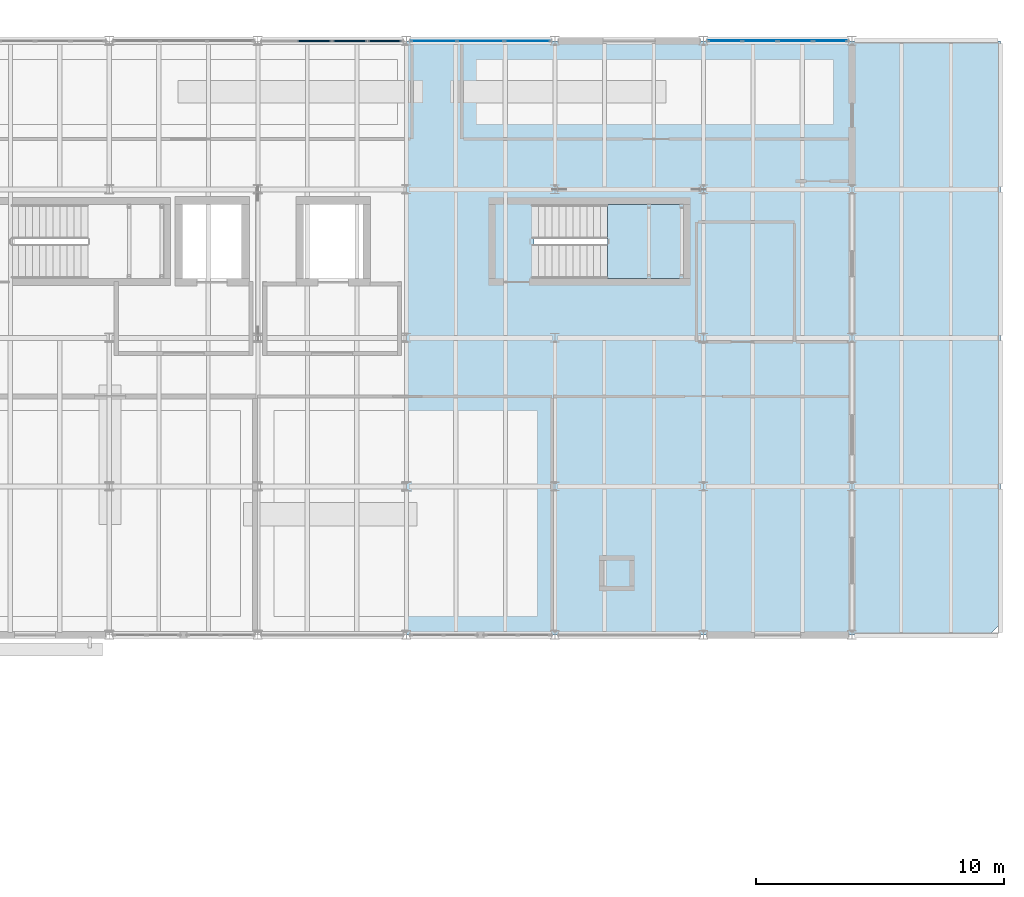
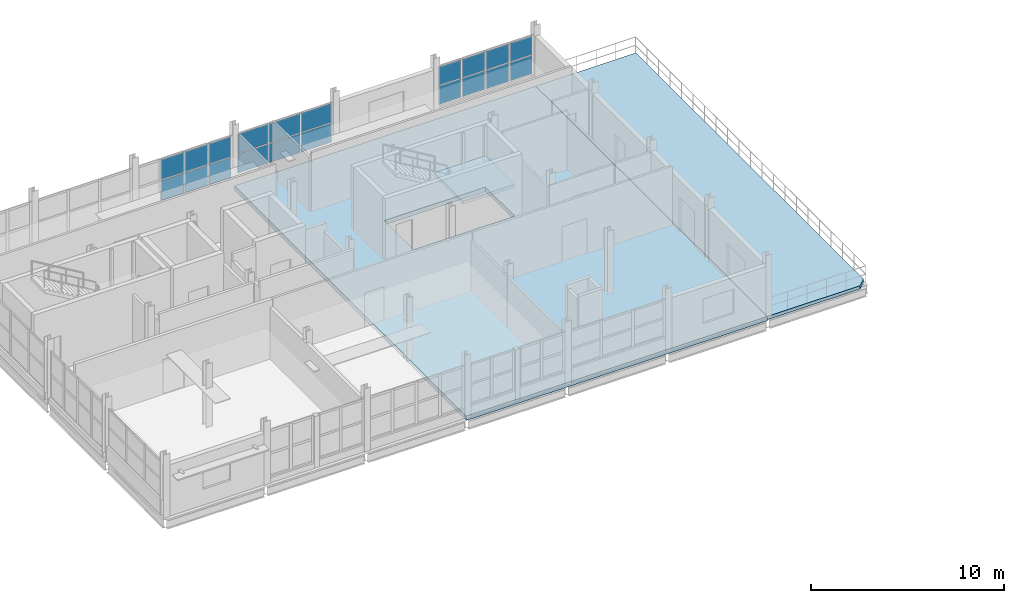
# One storey, part 24 of 45: 20 plates, 3 slabs, 4 elements without a shape of their own.
"""IFC4 building model written with IfcOpenShell, lengths in metres."""

from ifc_helpers import new_model, si_unit, direction, frame, origin, origin_2d, place, context, subcontext, project, spatial, polyline, rectangle, outline, extrude, material, layer, layer_set, type_object, element, aggregate, save


model = new_model("IFC4")

# Units and contexts
model_context = context("Model", 3, precision=1e-05, world=origin(), true_north=direction((0.0, 1.0)))
body_context = subcontext(model_context, "Body", "Model", "MODEL_VIEW")
ifc_project = project(units=[si_unit("LENGTHUNIT", "METRE"), si_unit("AREAUNIT", "SQUARE_METRE"), si_unit("VOLUMEUNIT", "CUBIC_METRE"), si_unit("PLANEANGLEUNIT", "RADIAN"), si_unit("MASSUNIT", "GRAM", prefix="KILO")], contexts=[model_context])

# Site, building, storey
site_placement = place(None, origin())
site = spatial("IfcSite", under=ifc_project, at=site_placement, CompositionType="ELEMENT")
building_placement = place(site_placement, origin())
building = spatial("IfcBuilding", under=site, at=building_placement, Name="Siltcreek Boulevard Central Fire Station", CompositionType="ELEMENT")
storey_placement = place(building_placement, frame((0.0, 0.0, 10.0)))
storey = spatial("IfcBuildingStorey", under=building, at=storey_placement, Name="L03", CompositionType="ELEMENT", Elevation=10.0)

# Curtain wall, plates
ifc_material_1 = material(Name="Anodized aluminum and low-E insulated glazing", Category="aluminium")
curtain_wall_type_1 = type_object("IfcCurtainWallType", Name="CW_SYS_10", PredefinedType="USERDEFINED", material=ifc_material_1)
curtain_wall_1_placement = place(storey_placement, origin())
curtain_wall_1 = element("IfcCurtainWall", 1, at=curtain_wall_1_placement, inside=storey, type_object=curtain_wall_type_1, Name="L03 V5 unitised curtain wall CW-159", ObjectType="CURTAIN WALL", PredefinedType="USERDEFINED")
ifc_material_2 = material(Name="Low-E double insulated glass unit", Category="glass")
ifc_layer_1 = layer(ifc_material_2, 0.028076171875, Name="Low-E double insulated glass unit")
ifc_layer_set_1 = layer_set([ifc_layer_1], Name="Low-E double insulated glass unit")
plate_type_1 = type_object("IfcPlateType", Name="CWP_GLZ_1", PredefinedType="CURTAIN_PANEL", material=ifc_layer_set_1)
plate_1_placement = place(storey_placement, frame((147.08837890625, 112.199951171875, 0.73974609375), z_axis=(0.0, 0.0, 1.0), x_axis=(-1.0, 0.0, 0.0)))
plate_1 = element("IfcPlate", 2, at=plate_1_placement, type_object=plate_type_1, Name="CW-159 panel 1.1", PredefinedType="CURTAIN_PANEL", context=body_context, shape_type="SweptSolid", body=[
    extrude(rectangle(XDim=1.813232421875, YDim=0.028076171875, at=origin_2d()), origin(), (0.0, 0.0, 1.0), 1.194580078125),
])
plate_2_placement = place(storey_placement, frame((147.08837890625, 112.199951171875, 1.99462890625), z_axis=(0.0, 0.0, 1.0), x_axis=(-1.0, 0.0, 0.0)))
plate_2 = element("IfcPlate", 3, at=plate_2_placement, type_object=plate_type_1, Name="CW-159 panel 1.2", PredefinedType="CURTAIN_PANEL", context=body_context, shape_type="SweptSolid", body=[
    extrude(rectangle(XDim=1.813232421875, YDim=0.028076171875, at=origin_2d()), origin(), (0.0, 0.0, 1.0), 1.194580078125),
])
plate_3_placement = place(storey_placement, frame((145.199951171875, 112.199951171875, 0.73974609375), z_axis=(0.0, 0.0, 1.0), x_axis=(-1.0, 0.0, 0.0)))
plate_3 = element("IfcPlate", 4, at=plate_3_placement, type_object=plate_type_1, Name="CW-159 panel 2.1", PredefinedType="CURTAIN_PANEL", context=body_context, shape_type="SweptSolid", body=[
    extrude(rectangle(XDim=1.84326171875, YDim=0.028076171875, at=origin_2d()), origin(), (0.0, 0.0, 1.0), 1.194580078125),
])
plate_4_placement = place(storey_placement, frame((145.199951171875, 112.199951171875, 1.99462890625), z_axis=(0.0, 0.0, 1.0), x_axis=(-1.0, 0.0, 0.0)))
plate_4 = element("IfcPlate", 5, at=plate_4_placement, type_object=plate_type_1, Name="CW-159 panel 2.2", PredefinedType="CURTAIN_PANEL", context=body_context, shape_type="SweptSolid", body=[
    extrude(rectangle(XDim=1.84326171875, YDim=0.028076171875, at=origin_2d()), origin(), (0.0, 0.0, 1.0), 1.194580078125),
])
plate_5_placement = place(storey_placement, frame((143.311767578125, 112.199951171875, 0.73974609375), z_axis=(0.0, 0.0, 1.0), x_axis=(-1.0, 0.0, 0.0)))
plate_5 = element("IfcPlate", 6, at=plate_5_placement, type_object=plate_type_1, Name="CW-159 panel 3.1", PredefinedType="CURTAIN_PANEL", context=body_context, shape_type="SweptSolid", body=[
    extrude(rectangle(XDim=1.813232421875, YDim=0.028076171875, at=origin_2d()), origin(), (0.0, 0.0, 1.0), 1.194580078125),
])
plate_6_placement = place(storey_placement, frame((143.311767578125, 112.199951171875, 1.99462890625), z_axis=(0.0, 0.0, 1.0), x_axis=(-1.0, 0.0, 0.0)))
plate_6 = element("IfcPlate", 7, at=plate_6_placement, type_object=plate_type_1, Name="CW-159 panel 3.2", PredefinedType="CURTAIN_PANEL", context=body_context, shape_type="SweptSolid", body=[
    extrude(rectangle(XDim=1.813232421875, YDim=0.028076171875, at=origin_2d()), origin(), (0.0, 0.0, 1.0), 1.194580078125),
])
aggregate(curtain_wall_1, [plate_1, plate_2, plate_3, plate_4, plate_5, plate_6])

curtain_wall_type_2 = type_object("IfcCurtainWallType", Name="CW_SYS_11", PredefinedType="USERDEFINED", material=ifc_material_1)
curtain_wall_2_placement = place(storey_placement, origin())
curtain_wall_2 = element("IfcCurtainWall", 8, at=curtain_wall_2_placement, inside=storey, type_object=curtain_wall_type_2, Name="L03 V5 unitised curtain wall CW-160", ObjectType="CURTAIN WALL", PredefinedType="USERDEFINED")
ifc_layer_2 = layer(ifc_material_2, 0.0380859375, Name="Low-E double insulated glass unit")
ifc_layer_set_2 = layer_set([ifc_layer_2], Name="Low-E double insulated glass unit")
plate_type_2 = type_object("IfcPlateType", Name="CWP_GLZ_2", PredefinedType="CURTAIN_PANEL", material=ifc_layer_set_2)
plate_7_placement = place(storey_placement, frame((159.324951171875, 112.199951171875, 0.86474609375), z_axis=(0.0, 0.0, 1.0), x_axis=(-1.0, 0.0, 0.0)))
plate_7 = element("IfcPlate", 9, at=plate_7_placement, type_object=plate_type_2, Name="CW-160 panel 1.1", PredefinedType="CURTAIN_PANEL", context=body_context, shape_type="SweptSolid", body=[
    extrude(rectangle(XDim=1.330078125, YDim=0.0380859375, at=origin_2d()), origin(), (0.0, 0.0, 1.0), 1.152099609375),
])
plate_8_placement = place(storey_placement, frame((159.324951171875, 112.199951171875, 2.08203125), z_axis=(0.0, 0.0, 1.0), x_axis=(-1.0, 0.0, 0.0)))
plate_8 = element("IfcPlate", 10, at=plate_8_placement, type_object=plate_type_2, Name="CW-160 panel 1.2", PredefinedType="CURTAIN_PANEL", context=body_context, shape_type="SweptSolid", body=[
    extrude(rectangle(XDim=1.330078125, YDim=0.0380859375, at=origin_2d()), origin(), (0.0, 0.0, 1.0), 1.152099609375),
])
plate_9_placement = place(storey_placement, frame((157.913818359375, 112.199951171875, 0.86474609375), z_axis=(0.0, 0.0, 1.0), x_axis=(-1.0, 0.0, 0.0)))
plate_9 = element("IfcPlate", 11, at=plate_9_placement, type_object=plate_type_2, Name="CW-160 panel 2.1", PredefinedType="CURTAIN_PANEL", context=body_context, shape_type="SweptSolid", body=[
    extrude(rectangle(XDim=1.362548828125, YDim=0.0380859375, at=origin_2d()), origin(), (0.0, 0.0, 1.0), 1.152099609375),
])
plate_10_placement = place(storey_placement, frame((157.913818359375, 112.199951171875, 2.08203125), z_axis=(0.0, 0.0, 1.0), x_axis=(-1.0, 0.0, 0.0)))
plate_10 = element("IfcPlate", 12, at=plate_10_placement, type_object=plate_type_2, Name="CW-160 panel 2.2", PredefinedType="CURTAIN_PANEL", context=body_context, shape_type="SweptSolid", body=[
    extrude(rectangle(XDim=1.362548828125, YDim=0.0380859375, at=origin_2d()), origin(), (0.0, 0.0, 1.0), 1.152099609375),
])
plate_11_placement = place(storey_placement, frame((156.486328125, 112.199951171875, 0.86474609375), z_axis=(0.0, 0.0, 1.0), x_axis=(-1.0, 0.0, 0.0)))
plate_11 = element("IfcPlate", 13, at=plate_11_placement, type_object=plate_type_2, Name="CW-160 panel 3.1", PredefinedType="CURTAIN_PANEL", context=body_context, shape_type="SweptSolid", body=[
    extrude(rectangle(XDim=1.362548828125, YDim=0.0380859375, at=origin_2d()), origin(), (0.0, 0.0, 1.0), 1.152099609375),
])
plate_12_placement = place(storey_placement, frame((156.486328125, 112.199951171875, 2.08203125), z_axis=(0.0, 0.0, 1.0), x_axis=(-1.0, 0.0, 0.0)))
plate_12 = element("IfcPlate", 14, at=plate_12_placement, type_object=plate_type_2, Name="CW-160 panel 3.2", PredefinedType="CURTAIN_PANEL", context=body_context, shape_type="SweptSolid", body=[
    extrude(rectangle(XDim=1.362548828125, YDim=0.0380859375, at=origin_2d()), origin(), (0.0, 0.0, 1.0), 1.152099609375),
])
plate_13_placement = place(storey_placement, frame((155.074951171875, 112.199951171875, 0.86474609375), z_axis=(0.0, 0.0, 1.0), x_axis=(-1.0, 0.0, 0.0)))
plate_13 = element("IfcPlate", 15, at=plate_13_placement, type_object=plate_type_2, Name="CW-160 panel 4.1", PredefinedType="CURTAIN_PANEL", context=body_context, shape_type="SweptSolid", body=[
    extrude(rectangle(XDim=1.330078125, YDim=0.0380859375, at=origin_2d()), origin(), (0.0, 0.0, 1.0), 1.152099609375),
])
plate_14_placement = place(storey_placement, frame((155.074951171875, 112.199951171875, 2.08203125), z_axis=(0.0, 0.0, 1.0), x_axis=(-1.0, 0.0, 0.0)))
plate_14 = element("IfcPlate", 16, at=plate_14_placement, type_object=plate_type_2, Name="CW-160 panel 4.2", PredefinedType="CURTAIN_PANEL", context=body_context, shape_type="SweptSolid", body=[
    extrude(rectangle(XDim=1.330078125, YDim=0.0380859375, at=origin_2d()), origin(), (0.0, 0.0, 1.0), 1.152099609375),
])
aggregate(curtain_wall_2, [plate_7, plate_8, plate_9, plate_10, plate_11, plate_12, plate_13, plate_14])

curtain_wall_type_3 = type_object("IfcCurtainWallType", Name="CW_SYS_09", PredefinedType="USERDEFINED", material=ifc_material_1)
curtain_wall_3_placement = place(storey_placement, origin())
curtain_wall_3 = element("IfcCurtainWall", 17, at=curtain_wall_3_placement, inside=storey, type_object=curtain_wall_type_3, Name="L03 V5 unitised curtain wall CW-158", ObjectType="CURTAIN WALL", PredefinedType="USERDEFINED")
ifc_layer_3 = layer(ifc_material_2, 0.048095703125, Name="Low-E double insulated glass unit")
ifc_layer_set_3 = layer_set([ifc_layer_3], Name="Low-E double insulated glass unit")
plate_type_3 = type_object("IfcPlateType", Name="CWP_GLZ_3", PredefinedType="CURTAIN_PANEL", material=ifc_layer_set_3)
plate_15_placement = place(storey_placement, frame((141.324951171875, 112.199951171875, 0.625), z_axis=(0.0, 0.0, 1.0), x_axis=(-1.0, 0.0, 0.0)))
plate_15 = element("IfcPlate", 18, at=plate_15_placement, type_object=plate_type_3, Name="CW-158 panel 1.1", PredefinedType="CURTAIN_PANEL", context=body_context, shape_type="SweptSolid", body=[
    extrude(rectangle(XDim=1.330078125, YDim=0.048095703125, at=origin_2d()), origin(), (0.0, 0.0, 1.0), 1.2470703125),
])
plate_16_placement = place(storey_placement, frame((141.324951171875, 112.199951171875, 1.93701171875), z_axis=(0.0, 0.0, 1.0), x_axis=(-1.0, 0.0, 0.0)))
plate_16 = element("IfcPlate", 19, at=plate_16_placement, type_object=plate_type_3, Name="CW-158 panel 1.2", PredefinedType="CURTAIN_PANEL", context=body_context, shape_type="SweptSolid", body=[
    extrude(rectangle(XDim=1.330078125, YDim=0.048095703125, at=origin_2d()), origin(), (0.0, 0.0, 1.0), 1.2470703125),
])
plate_17_placement = place(storey_placement, frame((139.913818359375, 112.199951171875, 0.625), z_axis=(0.0, 0.0, 1.0), x_axis=(-1.0, 0.0, 0.0)))
plate_17 = element("IfcPlate", 20, at=plate_17_placement, type_object=plate_type_3, Name="CW-158 panel 2.1", PredefinedType="CURTAIN_PANEL", context=body_context, shape_type="SweptSolid", body=[
    extrude(rectangle(XDim=1.362548828125, YDim=0.048095703125, at=origin_2d()), origin(), (0.0, 0.0, 1.0), 1.2470703125),
])
plate_18_placement = place(storey_placement, frame((139.913818359375, 112.199951171875, 1.93701171875), z_axis=(0.0, 0.0, 1.0), x_axis=(-1.0, 0.0, 0.0)))
plate_18 = element("IfcPlate", 21, at=plate_18_placement, type_object=plate_type_3, Name="CW-158 panel 2.2", PredefinedType="CURTAIN_PANEL", context=body_context, shape_type="SweptSolid", body=[
    extrude(rectangle(XDim=1.362548828125, YDim=0.048095703125, at=origin_2d()), origin(), (0.0, 0.0, 1.0), 1.2470703125),
])
plate_19_placement = place(storey_placement, frame((138.486328125, 112.199951171875, 0.625), z_axis=(0.0, 0.0, 1.0), x_axis=(-1.0, 0.0, 0.0)))
plate_19 = element("IfcPlate", 22, at=plate_19_placement, type_object=plate_type_3, Name="CW-158 panel 3.1", PredefinedType="CURTAIN_PANEL", context=body_context, shape_type="SweptSolid", body=[
    extrude(rectangle(XDim=1.362548828125, YDim=0.048095703125, at=origin_2d()), origin(), (0.0, 0.0, 1.0), 1.2470703125),
])
plate_20_placement = place(storey_placement, frame((138.486328125, 112.199951171875, 1.93701171875), z_axis=(0.0, 0.0, 1.0), x_axis=(-1.0, 0.0, 0.0)))
plate_20 = element("IfcPlate", 23, at=plate_20_placement, type_object=plate_type_3, Name="CW-158 panel 3.2", PredefinedType="CURTAIN_PANEL", context=body_context, shape_type="SweptSolid", body=[
    extrude(rectangle(XDim=1.362548828125, YDim=0.048095703125, at=origin_2d()), origin(), (0.0, 0.0, 1.0), 1.2470703125),
])
aggregate(curtain_wall_3, [plate_15, plate_16, plate_17, plate_18, plate_19, plate_20])

# Slab
ifc_material_3 = material(Name="Concrete C35/45", Category="concrete")
ifc_layer_4 = layer(ifc_material_3, 0.280029296875, Name="Concrete C35/45")
ifc_layer_set_4 = layer_set([ifc_layer_4], Name="Concrete C35/45")
slab_type_1 = type_object("IfcSlabType", Name="SL_FLR280", PredefinedType="FLOOR", material=ifc_layer_set_4)
slab_1_placement = place(storey_placement, frame((0.0, 0.0, -0.280029296875)))
element("IfcSlab", 24, at=slab_1_placement, inside=storey, type_object=slab_type_1, Name="L03 V5 structural floor slab SL-041", PredefinedType="FLOOR", context=body_context, shape_type="SweptSolid", body=[
    extrude(outline(polyline([(142.199951171875, 112.199951171875), (160.199951171875, 112.199951171875), (160.199951171875, 88.199951171875), (142.199951171875, 88.199951171875), (142.199951171875, 112.199951171875)]), holes=[polyline([(147.360107421875, 102.60009765625), (153.39990234375, 102.60009765625), (153.39990234375, 105.60009765625), (147.360107421875, 105.60009765625), (147.360107421875, 102.60009765625)])]), origin(), (0.0, 0.0, 1.0), 0.280029296875),
])

# Stair, slab
ifc_material_4 = material(Name="Precast concrete C40/50", Category="concrete")
stair_type = type_object("IfcStairType", Name="ST_DOG_H40", PredefinedType="HALF_TURN_STAIR", material=ifc_material_4)
stair_placement = place(storey_placement, origin())
stair = element("IfcStair", 25, at=stair_placement, inside=storey, type_object=stair_type, Name="L03 Enclosed exit stairway ST-V5B", PredefinedType="HALF_TURN_STAIR")
ifc_layer_5 = layer(ifc_material_4, 0.199951171875, Name="Precast concrete C40/50")
ifc_layer_set_5 = layer_set([ifc_layer_5], Name="Precast concrete C40/50")
slab_type_2 = type_object("IfcSlabType", Name="SL_LAND200", PredefinedType="LANDING", material=ifc_layer_set_5)
slab_2_placement = place(storey_placement, frame((0.0, 0.0, 1.800048828125)))
slab_2 = element("IfcSlab", 26, at=slab_2_placement, type_object=slab_type_2, Name="ST-V5B landing 1", PredefinedType="LANDING", context=body_context, shape_type="SweptSolid", body=[
    extrude(outline(polyline([(150.330078125, 102.60009765625), (153.39990234375, 102.60009765625), (153.39990234375, 105.60009765625), (150.330078125, 105.60009765625), (150.330078125, 102.60009765625)])), origin(), (0.0, 0.0, 1.0), 0.199951171875),
])
aggregate(stair, [slab_2])

# Slab
ifc_layer_6 = layer(ifc_material_3, 0.2099609375, Name="Concrete C35/45")
ifc_layer_set_6 = layer_set([ifc_layer_6], Name="Concrete C35/45")
slab_type_3 = type_object("IfcSlabType", Name="SL_TER210", PredefinedType="FLOOR", material=ifc_layer_set_6)
slab_3_placement = place(storey_placement, frame((0.0, 0.0, -0.2099609375)))
element("IfcSlab", 27, at=slab_3_placement, inside=storey, type_object=slab_type_3, Name="L03 V5 outdoor crew terrace slab TR-042", PredefinedType="FLOOR", context=body_context, shape_type="SweptSolid", body=[
    extrude(outline(polyline([(160.199951171875, 88.199951171875), (165.75, 88.199951171875), (166.199951171875, 88.64990234375), (166.199951171875, 112.199951171875), (160.199951171875, 112.199951171875), (160.199951171875, 88.199951171875)])), origin(), (0.0, 0.0, 1.0), 0.2099609375),
])

save(model, "model.ifc")
